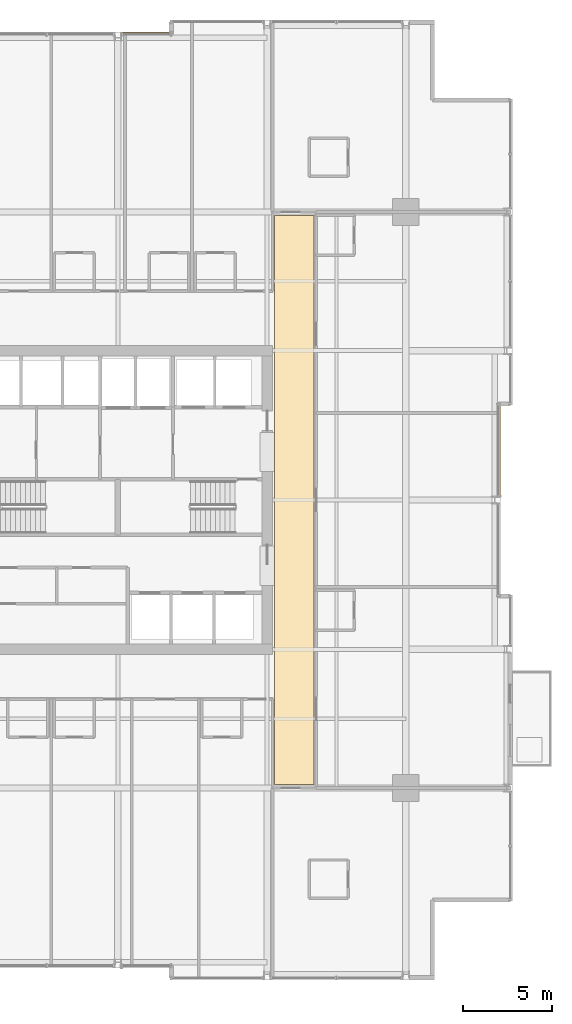
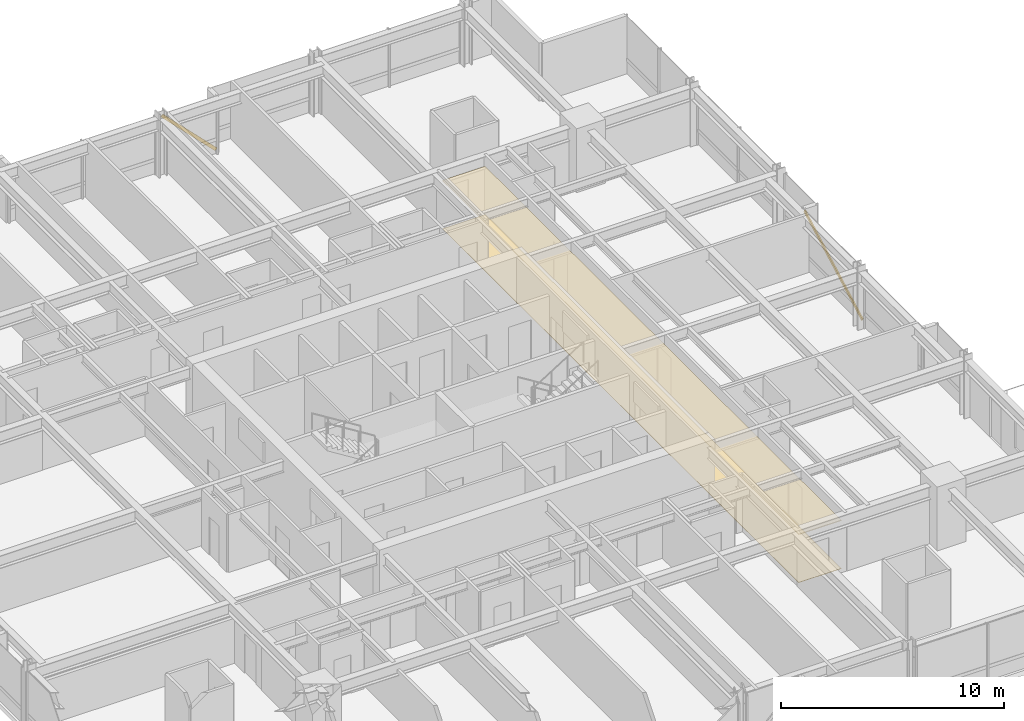
# One storey, part 35 of 35: 2 coverings, 2 shading devices.
"""IFC4 building model written with IfcOpenShell, lengths in metres."""

import ifcopenshell
import ifcopenshell.guid

model = None  # the IFC model being written
_history = None  # IfcOwnerHistory: only IFC2X3 demands one
_inside = {}  # id of a spatial element -> (the spatial element, [elements in it])
_under = {}  # id of a project, library or spatial element -> (it, [spatial elements below it])
_declared = {}  # id of a project -> (the project, [libraries it declares])
_typed = {}  # id of a type object -> (the type object, [elements of that type])
_made_of = {}  # id of a material, layer set ... -> (it, [elements and type objects made of it])


def new_model(schema):
    """Start an empty IFC model of exactly this schema.

    Asked for "IFC4X3", IfcOpenShell would pick the latest addendum, in which some entities
    have other attributes; the version numbers below select the first issue.
    IFC2X3 requires an IfcOwnerHistory on every rooted entity: one is made here for all.
    """
    global model, _history
    if schema == "IFC4X3":
        model = ifcopenshell.file(schema_version=(4, 3, 0, 0))
    else:
        model = ifcopenshell.file(schema=schema)
    _inside.clear()
    _under.clear()
    _declared.clear()
    _typed.clear()
    _made_of.clear()
    _history = None
    if model.schema == "IFC2X3":
        org = make("IfcOrganization", Name="unknown")
        user = make(
            "IfcPersonAndOrganization",
            ThePerson=make("IfcPerson", FamilyName="unknown"),
            TheOrganization=org,
        )
        app = make(
            "IfcApplication",
            ApplicationDeveloper=org,
            Version="unknown",
            ApplicationFullName="unknown",
            ApplicationIdentifier="unknown",
        )
        _history = make(
            "IfcOwnerHistory",
            OwningUser=user,
            OwningApplication=app,
            ChangeAction="ADDED",
            CreationDate=0,
        )
    return model


def make(cls, **values):
    """One entity of the class cls with the attributes given. An attribute that is None is left unset."""
    return model.create_entity(
        cls, **{name: value for name, value in values.items() if value is not None}
    )


def rooted(cls, **values):
    """An entity with a GlobalId (a new one), such as an element, a storey or a relation."""
    return make(cls, GlobalId=ifcopenshell.guid.new(), OwnerHistory=_history, **values)


def si_unit(unit_type, name, prefix=None):
    """IfcSIUnit, for example si_unit("LENGTHUNIT", "METRE", prefix="MILLI")."""
    return make("IfcSIUnit", UnitType=unit_type, Prefix=prefix, Name=name)


def assignment(units):
    """IfcUnitAssignment: the units of a project."""
    return None if units is None else make("IfcUnitAssignment", Units=units)


def point(xyz):
    """IfcCartesianPoint."""
    return None if xyz is None else make("IfcCartesianPoint", Coordinates=xyz)


def direction(xyz):
    """IfcDirection."""
    return None if xyz is None else make("IfcDirection", DirectionRatios=xyz)


def frame(location, z_axis=None, x_axis=None):
    """IfcAxis2Placement3D, a coordinate frame: its origin and axes. An axis left out is left unset."""
    return make(
        "IfcAxis2Placement3D",
        Location=point(location),
        Axis=direction(z_axis),
        RefDirection=direction(x_axis),
    )


def frame_2d(location, x_axis=None):
    """IfcAxis2Placement2D, a coordinate frame in the plane: its origin and x axis."""
    return make(
        "IfcAxis2Placement2D", Location=point(location), RefDirection=direction(x_axis)
    )


def origin():
    """The frame at (0, 0, 0) with its axes left unset."""
    return frame((0.0, 0.0, 0.0))


def origin_2d():
    """The frame at (0, 0) in the plane with its x axis left unset."""
    return frame_2d((0.0, 0.0))


def place(relative_to, where):
    """IfcLocalPlacement: puts the frame where relative to a parent placement (None: the world)."""
    return make(
        "IfcLocalPlacement", PlacementRelTo=relative_to, RelativePlacement=where
    )


def context(
    kind, dimensions, precision=None, world=None, true_north=None, identifier=None
):
    """IfcGeometricRepresentationContext, for example the 3D "Model" context."""
    return make(
        "IfcGeometricRepresentationContext",
        ContextIdentifier=identifier,
        ContextType=kind,
        CoordinateSpaceDimension=dimensions,
        Precision=precision,
        WorldCoordinateSystem=world,
        TrueNorth=true_north,
    )


def subcontext(parent, identifier, kind, view, scale=None):
    """IfcGeometricRepresentationSubContext, for example "Body" below "Model"."""
    return make(
        "IfcGeometricRepresentationSubContext",
        ContextIdentifier=identifier,
        ContextType=kind,
        ParentContext=parent,
        TargetScale=scale,
        TargetView=view,
    )


def project(units=None, contexts=None):
    """IfcProject with its units and contexts."""
    return rooted(
        "IfcProject",
        Name="project",
        RepresentationContexts=contexts,
        UnitsInContext=assignment(units),
    )


def spatial(cls, under=None, at=None, **own):
    """A site, building, storey or space (cls), placed at a placement, below another one or the project."""
    s = rooted(cls, ObjectPlacement=at, **own)
    if under is not None:
        _under.setdefault(under.id(), (under, []))[1].append(s)
    return s


def polyline(points):
    """IfcPolyline through the points."""
    return make("IfcPolyline", Points=[point(p) for p in points])


def profile(cls, at=None, kind="AREA", **sizes):
    """A parametric profile (cls). Its sizes go by their IFC names, for example OverallWidth=200.0."""
    return make(cls, ProfileType=kind, Position=at, **sizes)


def hollow_rectangle(**sizes):
    """IfcRectangleHollowProfileDef."""
    return profile("IfcRectangleHollowProfileDef", **sizes)


def outline(outer, holes=None, kind="AREA"):
    """IfcArbitraryClosedProfileDef: a profile drawn as a closed curve; with holes, ...WithVoids."""
    if holes is None:
        return make("IfcArbitraryClosedProfileDef", ProfileType=kind, OuterCurve=outer)
    return make(
        "IfcArbitraryProfileDefWithVoids",
        ProfileType=kind,
        OuterCurve=outer,
        InnerCurves=holes,
    )


def extrude(swept, where, along, depth):
    """IfcExtrudedAreaSolid: the profile swept, set in the frame where, extruded along a direction by depth."""
    return make(
        "IfcExtrudedAreaSolid",
        SweptArea=swept,
        Position=where,
        ExtrudedDirection=direction(along),
        Depth=depth,
    )


def shape(context_of_items, identifier, shape_type, items):
    """IfcShapeRepresentation: the items that make up one representation, for example the "Body"."""
    return make(
        "IfcShapeRepresentation",
        ContextOfItems=context_of_items,
        RepresentationIdentifier=identifier,
        RepresentationType=shape_type,
        Items=items,
    )


def material(Name=None, Category=None):
    """IfcMaterial."""
    return make("IfcMaterial", Name=Name, Category=Category)


def layer(
    of_material, thickness, ventilated=None, Name=None, Category=None, Priority=None
):
    """IfcMaterialLayer: one layer of a wall or slab, of a material (None: an air gap)."""
    return make(
        "IfcMaterialLayer",
        Material=of_material,
        LayerThickness=thickness,
        IsVentilated=ventilated,
        Name=Name,
        Category=Category,
        Priority=Priority,
    )


def layer_set(layers, Name=None):
    """IfcMaterialLayerSet."""
    return make("IfcMaterialLayerSet", MaterialLayers=layers, LayerSetName=Name)


def material_profile(
    of_material, cross_section, Name=None, Category=None, Priority=None
):
    """IfcMaterialProfile: a cross section and its material."""
    return make(
        "IfcMaterialProfile",
        Name=Name,
        Material=of_material,
        Profile=cross_section,
        Priority=Priority,
        Category=Category,
    )


def profile_set(profiles, Name=None, composite=None):
    """IfcMaterialProfileSet."""
    return make(
        "IfcMaterialProfileSet",
        Name=Name,
        MaterialProfiles=profiles,
        CompositeProfile=composite,
    )


def made_of(thing, what):
    """Note that an element or type object is made of a material, layer set ...; save() writes the relation."""
    if what is not None:
        _made_of.setdefault(what.id(), (what, []))[1].append(thing)
    return thing


def type_object(cls, material=None, **own):
    """A type object (cls), such as IfcWallType, which elements share."""
    return made_of(rooted(cls, **own), material)


def element(
    cls,
    number,
    at=None,
    inside=None,
    cuts=None,
    type_object=None,
    material=None,
    context=None,
    identifier="Body",
    shape_type=None,
    held_by="IfcProductDefinitionShape",
    body=None,
    shapes=None,
    **own,
):
    """One element of the class cls, such as IfcWall. Its Tag is "e" and its number.

    at: its placement. inside: the storey or other place that contains it. cuts: it is an
    opening in that element (IfcRelVoidsElement). A single representation is given by context,
    identifier, shape_type and body (its items); several are given by shapes. held_by: the class
    of the entity that holds the representations. save() writes the other relations.
    """
    e = rooted(cls, Tag="e%d" % number, ObjectPlacement=at, **own)
    if body is not None:
        shapes = [shape(context, identifier, shape_type, body)]
    if shapes is not None:
        e.Representation = make(held_by, Representations=shapes)
    if inside is not None:
        _inside.setdefault(inside.id(), (inside, []))[1].append(e)
    if cuts is not None:
        rooted(
            "IfcRelVoidsElement", RelatingBuildingElement=cuts, RelatedOpeningElement=e
        )
    if type_object is not None:
        _typed.setdefault(type_object.id(), (type_object, []))[1].append(e)
    return made_of(e, material)


def aggregate(whole, parts):
    """IfcRelAggregates: a whole, such as a stair, and the parts it consists of."""
    return rooted("IfcRelAggregates", RelatingObject=whole, RelatedObjects=parts)


def save(model, path):
    """Write the relations noted so far, then the file.

    IfcRelAggregates (storeys below a building ...), IfcRelContainedInSpatialStructure (elements
    in a storey), IfcRelDefinesByType, IfcRelAssociatesMaterial and IfcRelDeclares: one each for
    every whole, place, type object, material and project.
    """
    for whole, parts in _under.values():
        aggregate(whole, parts)
    for where, things in _inside.values():
        rooted(
            "IfcRelContainedInSpatialStructure",
            RelatedElements=things,
            RelatingStructure=where,
        )
    for kind, things in _typed.values():
        rooted("IfcRelDefinesByType", RelatedObjects=things, RelatingType=kind)
    for what, things in _made_of.values():
        rooted("IfcRelAssociatesMaterial", RelatedObjects=things, RelatingMaterial=what)
    for by, libraries in _declared.values():
        rooted("IfcRelDeclares", RelatingContext=by, RelatedDefinitions=libraries)
    model.write(path)


model = new_model("IFC4")

# Units and contexts
model_context = context("Model", 3, precision=1e-05, world=origin(), true_north=direction((0.0, 1.0)))
body_context = subcontext(model_context, "Body", "Model", "MODEL_VIEW")
ifc_project = project(units=[si_unit("LENGTHUNIT", "METRE"), si_unit("AREAUNIT", "SQUARE_METRE"), si_unit("VOLUMEUNIT", "CUBIC_METRE"), si_unit("PLANEANGLEUNIT", "RADIAN"), si_unit("MASSUNIT", "GRAM", prefix="KILO")], contexts=[model_context])

# Site, building, storey
site_placement = place(None, origin())
site = spatial("IfcSite", under=ifc_project, at=site_placement, CompositionType="ELEMENT")
building_placement = place(site_placement, origin())
building = spatial("IfcBuilding", under=site, at=building_placement, Name="Drelvath Grand Hotel", CompositionType="ELEMENT")
storey_placement = place(building_placement, frame((0.0, 0.0, 137.300048828125)))
storey = spatial("IfcBuildingStorey", under=building, at=storey_placement, Name="L35", CompositionType="ELEMENT", Elevation=137.300048828125)

# Shading devices
ifc_material_1 = material(Name="Champagne Bronze Anodised Aluminium", Category="aluminium")
ifc_material_profile = material_profile(ifc_material_1, hollow_rectangle(XDim=0.06494140625, YDim=0.159912109375, WallThickness=0.00390625, at=origin_2d()), Name="HSS160X65X4")
ifc_profile_set = profile_set([ifc_material_profile], Name="Champagne Bronze Anodised Aluminium")
shading_device_type = type_object("IfcShadingDeviceType", Name="Diagonal Solar Fin Champagne Anodised HSS160X65X4", PredefinedType="USERDEFINED", material=ifc_profile_set)
shading_device_1_placement = place(storey_placement, frame((21.47998046875, 27.20947265625, 0.179931640625), z_axis=(0.0, 0.878682555514, 0.477406500411), x_axis=(-1.0, 0.0, 0.0)))
element("IfcShadingDevice", 1, at=shading_device_1_placement, inside=storey, type_object=shading_device_type, Name="L35 Diagonal Anodised Fin CW03-L35-EM2", ObjectType="FIN", PredefinedType="USERDEFINED", context=body_context, shape_type="SweptSolid", body=[
    extrude(hollow_rectangle(XDim=0.06494140625, YDim=0.159912109375, WallThickness=0.00390625, at=origin_2d()), origin(), (0.0, 0.0, 1.0), 5.906982421875),
])
shading_device_2_placement = place(storey_placement, frame((3.0, 53.280029296875, 0.179931640625), z_axis=(-0.703373959475, 0.0, 0.710820000516), x_axis=(0.0, -1.0, 0.0)))
element("IfcShadingDevice", 2, at=shading_device_2_placement, inside=storey, type_object=shading_device_type, Name="L35 Diagonal Anodised Fin CW03-L35-NM2", ObjectType="FIN", PredefinedType="USERDEFINED", context=body_context, shape_type="SweptSolid", body=[
    extrude(hollow_rectangle(XDim=0.06494140625, YDim=0.159912109375, WallThickness=0.00390625, at=origin_2d()), origin(), (0.0, 0.0, 1.0), 3.96728515625),
])

# Coverings
ifc_material_2 = material(Name="Woven Wool Broadloom Carpet")
ifc_layer_1 = layer(ifc_material_2, 0.01806640625)
ifc_layer_set_1 = layer_set([ifc_layer_1], Name="Woven Wool Broadloom Carpet")
covering_type_1 = type_object("IfcCoveringType", Name="Hospitality Broadloom Carpet 18", PredefinedType="FLOORING", material=ifc_layer_set_1)
covering_1_placement = place(storey_placement, origin())
element("IfcCovering", 3, at=covering_1_placement, inside=storey, type_object=covering_type_1, Name="L35 East Spine Carpet", PredefinedType="FLOORING", context=body_context, shape_type="SweptSolid", body=[
    extrude(outline(polyline([(11.030029296875, 11.0), (11.030029296875, 43.0), (8.820068359375, 43.0), (8.820068359375, 11.0), (11.030029296875, 11.0)])), origin(), (0.0, 0.0, 1.0), 0.01806640625),
])
ifc_material_3 = material(Name="Anodised Aluminium Alloy", Category="aluminium")
ifc_layer_2 = layer(ifc_material_3, 0.0400390625)
ifc_layer_set_2 = layer_set([ifc_layer_2], Name="Anodised Aluminium Alloy")
covering_type_2 = type_object("IfcCoveringType", Name="Perforated Metal Corridor Ceiling 40", PredefinedType="CEILING", material=ifc_layer_set_2)
covering_2_placement = place(storey_placement, frame((0.0, 0.0, 2.6298828125)))
element("IfcCovering", 4, at=covering_2_placement, inside=storey, type_object=covering_type_2, Name="L35 East Spine Ceiling", PredefinedType="CEILING", context=body_context, shape_type="SweptSolid", body=[
    extrude(outline(polyline([(11.030029296875, 11.0), (11.030029296875, 43.0), (8.820068359375, 43.0), (8.820068359375, 11.0), (11.030029296875, 11.0)])), origin(), (0.0, 0.0, 1.0), 0.0400390625),
])

save(model, "model.ifc")
